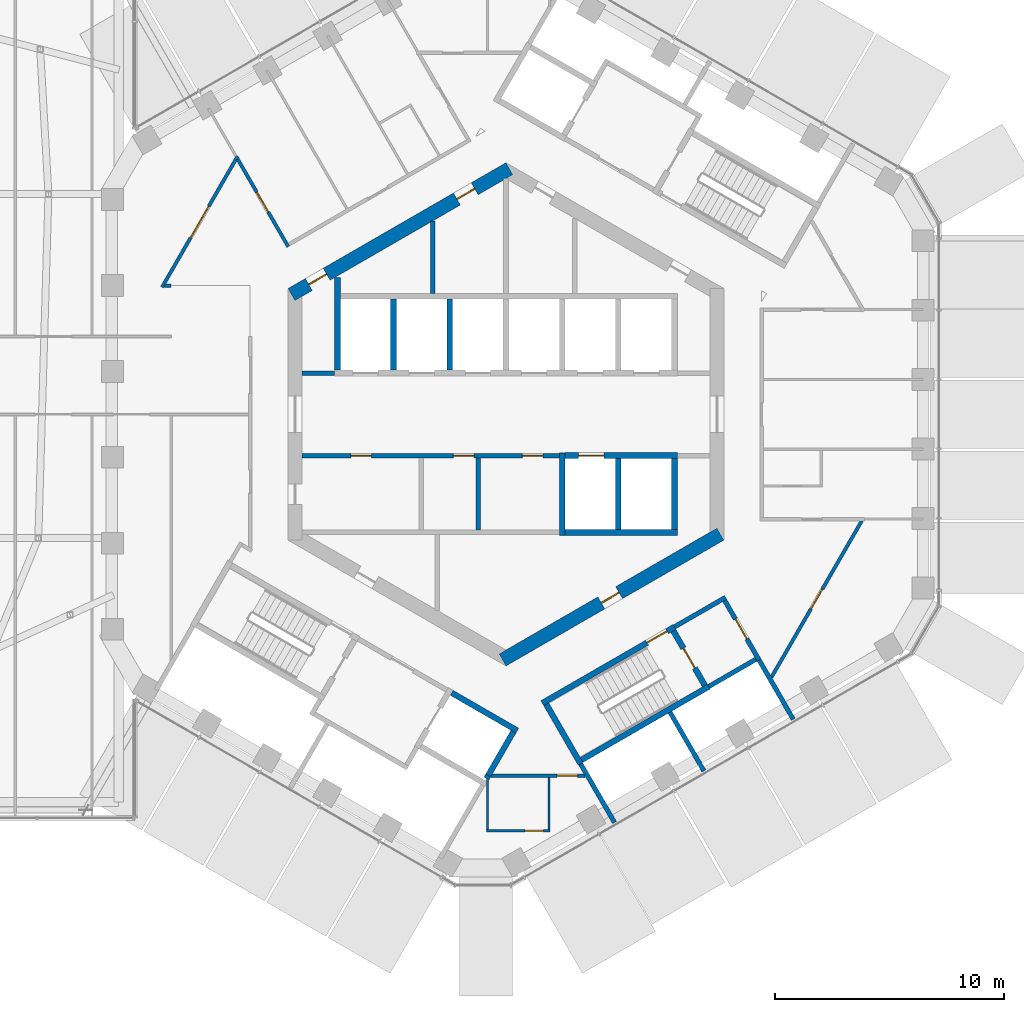
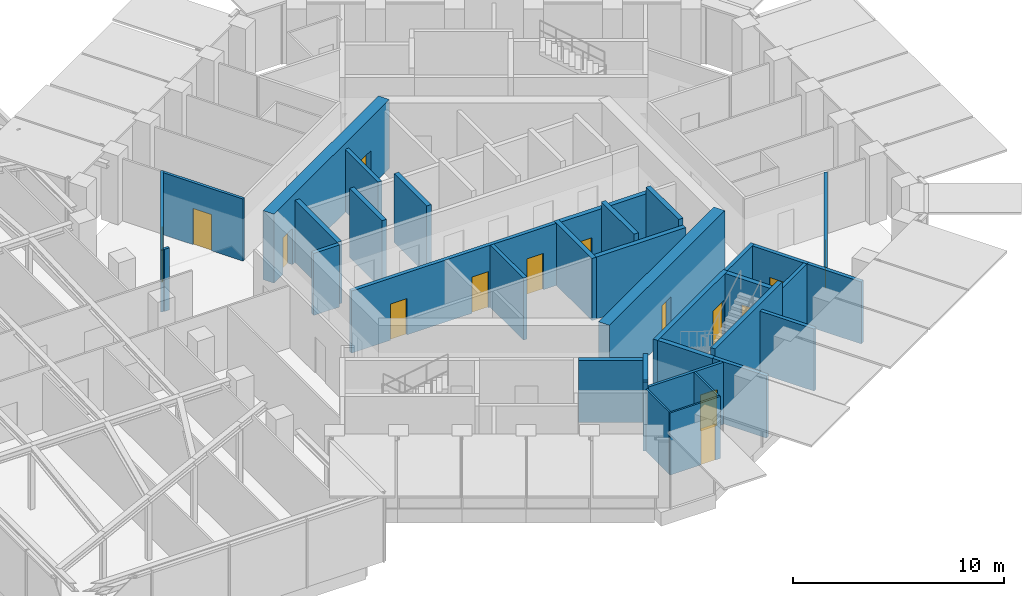
# One storey, part 17 of 24: 35 walls, 15 doors, 15 openings.
"""IFC4 building model written with IfcOpenShell, lengths in metres."""

from ifc_helpers import new_model, si_unit, direction, frame, frame_2d, origin, place, context, subcontext, project, spatial, rectangle, extrude, material, layer, layer_set, type_object, element, fill, save


model = new_model("IFC4")

# Units and contexts
model_context = context("Model", 3, precision=1e-05, world=origin(), true_north=direction((0.0, 1.0)))
body_context = subcontext(model_context, "Body", "Model", "MODEL_VIEW")
ifc_project = project(units=[si_unit("LENGTHUNIT", "METRE"), si_unit("AREAUNIT", "SQUARE_METRE"), si_unit("VOLUMEUNIT", "CUBIC_METRE"), si_unit("PLANEANGLEUNIT", "RADIAN"), si_unit("MASSUNIT", "GRAM", prefix="KILO")], contexts=[model_context])

# Site, building, storey
site_placement = place(None, origin())
site = spatial("IfcSite", under=ifc_project, at=site_placement, CompositionType="ELEMENT")
building_placement = place(site_placement, origin())
building = spatial("IfcBuilding", under=site, at=building_placement, Name="Ayvan Gate Tower", CompositionType="ELEMENT")
storey_placement = place(building_placement, frame((0.0, 0.0, 210.10009765625)))
storey = spatial("IfcBuildingStorey", under=building, at=storey_placement, Name="L56", CompositionType="ELEMENT", Elevation=210.10009765625)

# Wall, openings, doors
ifc_material_1 = material(Name="Concrete C60/75", Category="concrete")
ifc_layer_1 = layer(ifc_material_1, 0.60009765625)
ifc_layer_set_1 = layer_set([ifc_layer_1], Name="Concrete C60/75")
wall_type_1 = type_object("IfcWallType", Name="Core wall 600 C60/75", PredefinedType="SHEAR", material=ifc_layer_set_1)
wall_1_placement = place(storey_placement, frame((0.14990234375, 10.7099609375, 0.0), z_axis=(0.0, 0.0, 1.0), x_axis=(-0.866023993627, -0.500002442456, 0.0)))
wall_1 = element("IfcWall", 1, at=wall_1_placement, inside=storey, type_object=wall_type_1, Name="CORE-L56-2", PredefinedType="SHEAR", context=body_context, shape_type="SweptSolid", body=[
    extrude(rectangle(XDim=10.9697265625, YDim=0.60009765625, at=frame_2d((5.48486328125, 0.0))), origin(), (0.0, 0.0, 1.0), 4.0),
])
opening_1_placement = place(wall_1_placement, frame((9.201416015625, 0.0, 0.0)))
opening_1 = element("IfcOpeningElement", 2, at=opening_1_placement, cuts=wall_1, Name="Opening L56-D47", PredefinedType="OPENING", context=body_context, shape_type="SweptSolid", body=[
    extrude(rectangle(XDim=0.89990234375, YDim=2.10009765625, at=frame_2d((0.449951171875, 1.050048828125))), frame((0.0, 0.31005859375, 0.0), z_axis=(0.0, -1.0, 0.0), x_axis=(1.0, 0.0, 0.0)), (0.0, 0.0, 1.0), 0.6201171875),
])
opening_2_placement = place(wall_1_placement, frame((1.744384765625, 0.0, 0.0)))
opening_2 = element("IfcOpeningElement", 3, at=opening_2_placement, cuts=wall_1, Name="Opening L56-D48", PredefinedType="OPENING", context=body_context, shape_type="SweptSolid", body=[
    extrude(rectangle(XDim=0.89990234375, YDim=2.10009765625, at=frame_2d((0.449951171875, 1.050048828125))), frame((0.0, 0.31005859375, 0.0), z_axis=(0.0, -1.0, 0.0), x_axis=(1.0, 0.0, 0.0)), (0.0, 0.0, 1.0), 0.6201171875),
])
ifc_material_2 = material(Name="Timber door leaf", Category="wood")
door_type_1 = type_object("IfcDoorType", Name="DT-900", OperationType="NOTDEFINED", PredefinedType="DOOR", material=ifc_material_2)
door_1_placement = place(opening_1_placement, origin())
door_1 = element("IfcDoor", 4, at=door_1_placement, inside=storey, type_object=door_type_1, Name="CD-L56-47", OperationType="SINGLE_SWING_LEFT", OverallHeight=2.10009765625, OverallWidth=0.89990234375, PredefinedType="DOOR", context=body_context, shape_type="SweptSolid", body=[
    extrude(rectangle(XDim=0.89990234375, YDim=2.10009765625, at=frame_2d((0.449951171875, 1.050048828125))), frame((0.0, 0.02490234375, 0.0), z_axis=(0.0, -1.0, 0.0), x_axis=(1.0, 0.0, 0.0)), (0.0, 0.0, 1.0), 0.050048828125),
])
fill(opening_1, door_1)
door_2_placement = place(opening_2_placement, origin())
door_2 = element("IfcDoor", 5, at=door_2_placement, inside=storey, type_object=door_type_1, Name="CD-L56-48", OperationType="SINGLE_SWING_RIGHT", OverallHeight=2.10009765625, OverallWidth=0.89990234375, PredefinedType="DOOR", context=body_context, shape_type="SweptSolid", body=[
    extrude(rectangle(XDim=0.89990234375, YDim=2.10009765625, at=frame_2d((0.449951171875, 1.050048828125))), frame((0.0, 0.02490234375, 0.0), z_axis=(0.0, -1.0, 0.0), x_axis=(1.0, 0.0, 0.0)), (0.0, 0.0, 1.0), 0.050048828125),
])
fill(opening_2, door_2)

# Wall, opening, door
wall_2_placement = place(storey_placement, frame((-0.14990234375, -10.7099609375, 0.0), z_axis=(0.0, 0.0, 1.0), x_axis=(0.866023993627, 0.500002442456, 0.0)))
wall_2 = element("IfcWall", 6, at=wall_2_placement, inside=storey, type_object=wall_type_1, Name="CORE-L56-5", PredefinedType="SHEAR", context=body_context, shape_type="SweptSolid", body=[
    extrude(rectangle(XDim=10.9697265625, YDim=0.60009765625, at=frame_2d((5.48486328125, 0.0))), origin(), (0.0, 0.0, 1.0), 4.0),
])
opening_3_placement = place(wall_2_placement, frame((4.971923828125, 0.0, 0.0)))
opening_3 = element("IfcOpeningElement", 7, at=opening_3_placement, cuts=wall_2, Name="Opening L56-D52", PredefinedType="OPENING", context=body_context, shape_type="SweptSolid", body=[
    extrude(rectangle(XDim=0.89990234375, YDim=2.10009765625, at=frame_2d((0.449951171875, 1.050048828125))), frame((0.0, 0.31005859375, 0.0), z_axis=(0.0, -1.0, 0.0), x_axis=(1.0, 0.0, 0.0)), (0.0, 0.0, 1.0), 0.6201171875),
])
door_3_placement = place(opening_3_placement, origin())
door_3 = element("IfcDoor", 8, at=door_3_placement, inside=storey, type_object=door_type_1, Name="CD-L56-52", OperationType="SINGLE_SWING_RIGHT", OverallHeight=2.10009765625, OverallWidth=0.89990234375, PredefinedType="DOOR", context=body_context, shape_type="SweptSolid", body=[
    extrude(rectangle(XDim=0.89990234375, YDim=2.10009765625, at=frame_2d((0.449951171875, 1.050048828125))), frame((0.0, 0.02490234375, 0.0), z_axis=(0.0, -1.0, 0.0), x_axis=(1.0, 0.0, 0.0)), (0.0, 0.0, 1.0), 0.050048828125),
])
fill(opening_3, door_3)

ifc_material_3 = material(Name="Plasterboard on steel stud", Category="steel")
ifc_layer_2 = layer(ifc_material_3, 0.14990234375)
ifc_layer_set_2 = layer_set([ifc_layer_2], Name="Plasterboard on steel stud")
wall_type_2 = type_object("IfcWallType", Name="WT-CORR-150", PredefinedType="PARTITIONING", material=ifc_layer_set_2)
wall_3_placement = place(storey_placement, frame((-14.994873046875, 5.54296875, 0.0), z_axis=(0.0, 0.0, 1.0), x_axis=(0.500000102728, 0.866025344474, 0.0)))
wall_3 = element("IfcWall", 9, at=wall_3_placement, inside=storey, type_object=wall_type_2, Name="IW-L56-010", PredefinedType="PARTITIONING", context=body_context, shape_type="SweptSolid", body=[
    extrude(rectangle(XDim=6.5966796875, YDim=0.14990234375, at=frame_2d((3.29833984375, 0.0))), origin(), (0.0, 0.0, 1.0), 3.599853515625),
])
opening_4_placement = place(wall_3_placement, frame((2.48095703125, 0.0, 0.0)))
opening_4 = element("IfcOpeningElement", 10, at=opening_4_placement, cuts=wall_3, Name="Opening L56-D40", PredefinedType="OPENING", context=body_context, shape_type="SweptSolid", body=[
    extrude(rectangle(XDim=1.60009765625, YDim=2.10009765625, at=frame_2d((0.800048828125, 1.050048828125))), frame((0.0, 0.0849609375, 0.0), z_axis=(0.0, -1.0, 0.0), x_axis=(1.0, 0.0, 0.0)), (0.0, 0.0, 1.0), 0.169921875),
])
door_type_2 = type_object("IfcDoorType", Name="DT-1600", OperationType="NOTDEFINED", PredefinedType="DOOR", material=ifc_material_2)
door_4_placement = place(opening_4_placement, origin())
door_4 = element("IfcDoor", 11, at=door_4_placement, inside=storey, type_object=door_type_2, Name="ID-L56-040", OperationType="SINGLE_SWING_RIGHT", OverallHeight=2.10009765625, OverallWidth=1.60009765625, PredefinedType="DOOR", context=body_context, shape_type="SweptSolid", body=[
    extrude(rectangle(XDim=1.60009765625, YDim=2.10009765625, at=frame_2d((0.800048828125, 1.050048828125))), frame((0.0, 0.02490234375, 0.0), z_axis=(0.0, -1.0, 0.0), x_axis=(1.0, 0.0, 0.0)), (0.0, 0.0, 1.0), 0.050048828125),
])
fill(opening_4, door_4)

# Wall
wall_4_placement = place(storey_placement, frame((-14.600341796875, 5.60791015625, 0.0), z_axis=(0.0, 0.0, 1.0), x_axis=(-1.0, 0.0, 0.0)))
element("IfcWall", 12, at=wall_4_placement, inside=storey, type_object=wall_type_2, Name="IW-L56-012", PredefinedType="PARTITIONING", context=body_context, shape_type="SweptSolid", body=[
    extrude(rectangle(XDim=0.281982421875, YDim=0.14990234375, at=frame_2d((0.14111328125, 0.0))), origin(), (0.0, 0.0, 1.0), 3.599853515625),
])

# Wall, opening, door
wall_5_placement = place(storey_placement, frame((-11.696533203125, 11.1259765625, 0.0), z_axis=(0.0, 0.0, 1.0), x_axis=(0.499992488471, -0.866029740524, 0.0)))
wall_5 = element("IfcWall", 13, at=wall_5_placement, inside=storey, type_object=wall_type_2, Name="IW-L56-016", PredefinedType="PARTITIONING", context=body_context, shape_type="SweptSolid", body=[
    extrude(rectangle(XDim=4.40869140625, YDim=0.14990234375, at=frame_2d((2.204345703125, 0.0))), origin(), (0.0, 0.0, 1.0), 3.599853515625),
])
opening_5_placement = place(wall_5_placement, frame((1.666748046875, 0.0, 0.0)))
opening_5 = element("IfcOpeningElement", 14, at=opening_5_placement, cuts=wall_5, Name="Opening L56-D35", PredefinedType="OPENING", context=body_context, shape_type="SweptSolid", body=[
    extrude(rectangle(XDim=1.0, YDim=2.10009765625, at=frame_2d((0.5, 1.050048828125))), frame((0.0, 0.0849609375, 0.0), z_axis=(0.0, -1.0, 0.0), x_axis=(1.0, 0.0, 0.0)), (0.0, 0.0, 1.0), 0.169921875),
])
door_type_3 = type_object("IfcDoorType", Name="DT-1000", OperationType="NOTDEFINED", PredefinedType="DOOR", material=ifc_material_2)
door_5_placement = place(opening_5_placement, origin())
door_5 = element("IfcDoor", 15, at=door_5_placement, inside=storey, type_object=door_type_3, Name="ID-L56-035", OperationType="SINGLE_SWING_LEFT", OverallHeight=2.10009765625, OverallWidth=1.0, PredefinedType="DOOR", context=body_context, shape_type="SweptSolid", body=[
    extrude(rectangle(XDim=1.0, YDim=2.10009765625, at=frame_2d((0.5, 1.050048828125))), frame((0.0, 0.02490234375, 0.0), z_axis=(0.0, -1.0, 0.0), x_axis=(1.0, 0.0, 0.0)), (0.0, 0.0, 1.0), 0.050048828125),
])
fill(opening_5, door_5)

wall_6_placement = place(storey_placement, frame((-0.65869140625, -15.75732421875, 0.0), z_axis=(0.0, 0.0, 1.0), x_axis=(1.0, 0.0, 0.0)))
wall_6 = element("IfcWall", 16, at=wall_6_placement, inside=storey, type_object=wall_type_2, Name="IW-L56-063", PredefinedType="PARTITIONING", context=body_context, shape_type="SweptSolid", body=[
    extrude(rectangle(XDim=4.11376953125, YDim=0.14990234375, at=frame_2d((2.056884765625, 0.0))), origin(), (0.0, 0.0, 1.0), 3.599853515625),
])
opening_6_placement = place(wall_6_placement, frame((2.887451171875, 0.0, 0.0)))
opening_6 = element("IfcOpeningElement", 17, at=opening_6_placement, cuts=wall_6, Name="Opening L56-D29", PredefinedType="OPENING", context=body_context, shape_type="SweptSolid", body=[
    extrude(rectangle(XDim=0.89990234375, YDim=2.10009765625, at=frame_2d((0.449951171875, 1.050048828125))), frame((0.0, 0.0849609375, 0.0), z_axis=(0.0, -1.0, 0.0), x_axis=(1.0, 0.0, 0.0)), (0.0, 0.0, 1.0), 0.169921875),
])
door_6_placement = place(opening_6_placement, origin())
door_6 = element("IfcDoor", 18, at=door_6_placement, inside=storey, type_object=door_type_1, Name="ID-L56-029", OperationType="SINGLE_SWING_LEFT", OverallHeight=2.10009765625, OverallWidth=0.89990234375, PredefinedType="DOOR", context=body_context, shape_type="SweptSolid", body=[
    extrude(rectangle(XDim=0.89990234375, YDim=2.10009765625, at=frame_2d((0.449951171875, 1.050048828125))), frame((0.0, 0.02490234375, 0.0), z_axis=(0.0, -1.0, 0.0), x_axis=(1.0, 0.0, 0.0)), (0.0, 0.0, 1.0), 0.050048828125),
])
fill(opening_6, door_6)

wall_7_placement = place(storey_placement, frame((15.52099609375, -4.631591796875, 0.0), z_axis=(0.0, 0.0, 1.0), x_axis=(-0.499992740516, -0.866029595009, 0.0)))
wall_7 = element("IfcWall", 19, at=wall_7_placement, inside=storey, type_object=wall_type_2, Name="IW-L56-107", PredefinedType="PARTITIONING", context=body_context, shape_type="SweptSolid", body=[
    extrude(rectangle(XDim=7.89697265625, YDim=0.14990234375, at=frame_2d((3.948486328125, 0.0))), origin(), (0.0, 0.0, 1.0), 3.599853515625),
])
opening_7_placement = place(wall_7_placement, frame((3.44873046875, 0.0, 0.0)))
opening_7 = element("IfcOpeningElement", 20, at=opening_7_placement, cuts=wall_7, Name="Opening L56-D31", PredefinedType="OPENING", context=body_context, shape_type="SweptSolid", body=[
    extrude(rectangle(XDim=1.0, YDim=2.10009765625, at=frame_2d((0.5, 1.050048828125))), frame((0.0, 0.0849609375, 0.0), z_axis=(0.0, -1.0, 0.0), x_axis=(1.0, 0.0, 0.0)), (0.0, 0.0, 1.0), 0.169921875),
])
door_7_placement = place(opening_7_placement, origin())
door_7 = element("IfcDoor", 21, at=door_7_placement, inside=storey, type_object=door_type_3, Name="ID-L56-031", OperationType="SINGLE_SWING_LEFT", OverallHeight=2.10009765625, OverallWidth=1.0, PredefinedType="DOOR", context=body_context, shape_type="SweptSolid", body=[
    extrude(rectangle(XDim=1.0, YDim=2.10009765625, at=frame_2d((0.5, 1.050048828125))), frame((0.0, 0.02490234375, 0.0), z_axis=(0.0, -1.0, 0.0), x_axis=(1.0, 0.0, 0.0)), (0.0, 0.0, 1.0), 0.050048828125),
])
fill(opening_7, door_7)

ifc_layer_3 = layer(ifc_material_3, 0.10009765625)
ifc_layer_set_3 = layer_set([ifc_layer_3], Name="Plasterboard on steel stud")
wall_type_3 = type_object("IfcWallType", Name="WT-PART-100", PredefinedType="PARTITIONING", material=ifc_layer_set_3)
wall_8_placement = place(storey_placement, frame((-0.85107421875, -18.157470703125, 0.0), z_axis=(0.0, 0.0, 1.0), x_axis=(1.0, 0.0, 0.0)))
wall_8 = element("IfcWall", 22, at=wall_8_placement, inside=storey, type_object=wall_type_3, Name="IW-L56-051", PredefinedType="PARTITIONING", context=body_context, shape_type="SweptSolid", body=[
    extrude(rectangle(XDim=2.7734375, YDim=0.10009765625, at=frame_2d((1.38671875, 0.0))), origin(), (0.0, 0.0, 1.0), 3.599853515625),
])
opening_8_placement = place(wall_8_placement, frame((1.686767578125, 0.0, 0.0)))
opening_8 = element("IfcOpeningElement", 23, at=opening_8_placement, cuts=wall_8, Name="Opening L56-D30", PredefinedType="OPENING", context=body_context, shape_type="SweptSolid", body=[
    extrude(rectangle(XDim=0.800048828125, YDim=2.10009765625, at=frame_2d((0.39990234375, 1.050048828125))), frame((0.0, 0.06005859375, 0.0), z_axis=(0.0, -1.0, 0.0), x_axis=(1.0, 0.0, 0.0)), (0.0, 0.0, 1.0), 0.1201171875),
])
door_type_4 = type_object("IfcDoorType", Name="DT-800", OperationType="NOTDEFINED", PredefinedType="DOOR", material=ifc_material_2)
door_8_placement = place(opening_8_placement, origin())
door_8 = element("IfcDoor", 24, at=door_8_placement, inside=storey, type_object=door_type_4, Name="ID-L56-030", OperationType="SINGLE_SWING_RIGHT", OverallHeight=2.10009765625, OverallWidth=0.800048828125, PredefinedType="DOOR", context=body_context, shape_type="SweptSolid", body=[
    extrude(rectangle(XDim=0.800048828125, YDim=2.10009765625, at=frame_2d((0.39990234375, 1.050048828125))), frame((0.0, 0.02490234375, 0.0), z_axis=(0.0, -1.0, 0.0), x_axis=(1.0, 0.0, 0.0)), (0.0, 0.0, 1.0), 0.050048828125),
])
fill(opening_8, door_8)

# Walls
wall_9_placement = place(storey_placement, frame((-0.801025390625, -15.912353515625, 0.0), z_axis=(0.0, 0.0, 1.0), x_axis=(0.0, -1.0, 0.0)))
element("IfcWall", 25, at=wall_9_placement, inside=storey, type_object=wall_type_3, Name="IW-L56-052", PredefinedType="PARTITIONING", context=body_context, shape_type="SweptSolid", body=[
    extrude(rectangle(XDim=2.195068359375, YDim=0.10009765625, at=frame_2d((1.09765625, 0.0))), origin(), (0.0, 0.0, 1.0), 3.599853515625),
])
wall_10_placement = place(storey_placement, frame((1.872314453125, -18.107421875, 0.0), z_axis=(0.0, 0.0, 1.0), x_axis=(0.0, 1.0, 0.0)))
element("IfcWall", 26, at=wall_10_placement, inside=storey, type_object=wall_type_3, Name="IW-L56-062", PredefinedType="PARTITIONING", context=body_context, shape_type="SweptSolid", body=[
    extrude(rectangle(XDim=2.27490234375, YDim=0.10009765625, at=frame_2d((1.137451171875, 0.0))), origin(), (0.0, 0.0, 1.0), 3.599853515625),
])
ifc_layer_4 = layer(ifc_material_3, 0.199951171875)
ifc_layer_set_4 = layer_set([ifc_layer_4], Name="Plasterboard on steel stud")
wall_type_4 = type_object("IfcWallType", Name="WT-PLUMB-200", PredefinedType="PLUMBINGWALL", material=ifc_layer_set_4)
for number, where, z_axis, x_axis, name in (
    (27, (3.255615234375, -15.23876953125, 0.0), (0.0, 0.0, 1.0), (0.499967936676, -0.866043914762, 0.0), "IW-L56-072"),
    (28, (7.152587890625, -12.98876953125, 0.0), (0.0, 0.0, 1.0), (0.500029884265, -0.866008149408, 0.0), "IW-L56-081"),
):
    element("IfcWall", number, at=place(storey_placement, frame(where, z_axis=z_axis, x_axis=x_axis)), inside=storey, type_object=wall_type_4, Name=name, PredefinedType="PLUMBINGWALL", context=body_context, shape_type="SweptSolid", body=[
        extrude(rectangle(XDim=2.955810546875, YDim=0.199951171875, at=frame_2d((1.47802734375, 0.0))), origin(), (0.0, 0.0, 1.0), 3.599853515625),
    ])
wall_11_placement = place(storey_placement, frame((11.037353515625, -10.71728515625, 0.0), z_axis=(0.0, 0.0, 1.0), x_axis=(0.499980071345, -0.866036909293, 0.0)))
element("IfcWall", 29, at=wall_11_placement, inside=storey, type_object=wall_type_4, Name="IW-L56-093", PredefinedType="PLUMBINGWALL", context=body_context, shape_type="SweptSolid", body=[
    extrude(rectangle(XDim=2.98046875, YDim=0.199951171875, at=frame_2d((1.490234375, 0.0))), origin(), (0.0, 0.0, 1.0), 3.599853515625),
])
wall_12_placement = place(storey_placement, frame((10.900634765625, -10.6806640625, 0.0), z_axis=(0.0, 0.0, 1.0), x_axis=(-0.866007538022, -0.500030943131, 0.0)))
element("IfcWall", 30, at=wall_12_placement, inside=storey, type_object=wall_type_4, Name="IW-L56-094", PredefinedType="PLUMBINGWALL", context=body_context, shape_type="SweptSolid", body=[
    extrude(rectangle(XDim=2.374755859375, YDim=0.199951171875, at=frame_2d((1.1875, 0.0))), origin(), (0.0, 0.0, 1.0), 3.599853515625),
])
ifc_layer_5 = layer(ifc_material_3, 0.199951171875)
ifc_layer_set_5 = layer_set([ifc_layer_5], Name="Plasterboard on steel stud")
wall_type_5 = type_object("IfcWallType", Name="WT-RATED-200", PredefinedType="PARTITIONING", material=ifc_layer_set_5)
wall_13_placement = place(storey_placement, frame((-8.89990234375, 1.800048828125, 0.0), z_axis=(0.0, 0.0, 1.0), x_axis=(1.0, 0.0, 0.0)))
element("IfcWall", 31, at=wall_13_placement, inside=storey, type_object=wall_type_5, Name="IW-L56-021", PredefinedType="PARTITIONING", context=body_context, shape_type="SweptSolid", body=[
    extrude(rectangle(XDim=1.425048828125, YDim=0.199951171875, at=frame_2d((0.71240234375, 0.0))), origin(), (0.0, 0.0, 1.0), 3.599853515625),
])

# Wall, openings, doors
wall_14_placement = place(storey_placement, frame((-8.89990234375, -1.800048828125, 0.0), z_axis=(0.0, 0.0, 1.0), x_axis=(1.0, 0.0, 0.0)))
wall_14 = element("IfcWall", 32, at=wall_14_placement, inside=storey, type_object=wall_type_5, Name="IW-L56-040", PredefinedType="PARTITIONING", context=body_context, shape_type="SweptSolid", body=[
    extrude(rectangle(XDim=11.22509765625, YDim=0.199951171875, at=frame_2d((5.612548828125, 0.0))), origin(), (0.0, 0.0, 1.0), 3.599853515625),
])
opening_9_placement = place(wall_14_placement, frame((2.135009765625, 0.0, 0.0)))
opening_9 = element("IfcOpeningElement", 33, at=opening_9_placement, cuts=wall_14, Name="Opening L56-D08", PredefinedType="OPENING", context=body_context, shape_type="SweptSolid", body=[
    extrude(rectangle(XDim=0.89990234375, YDim=2.10009765625, at=frame_2d((0.449951171875, 1.050048828125))), frame((0.0, 0.10986328125, 0.0), z_axis=(0.0, -1.0, 0.0), x_axis=(1.0, 0.0, 0.0)), (0.0, 0.0, 1.0), 0.219970703125),
])
opening_10_placement = place(wall_14_placement, frame((6.610107421875, 0.0, 0.0)))
opening_10 = element("IfcOpeningElement", 34, at=opening_10_placement, cuts=wall_14, Name="Opening L56-D09", PredefinedType="OPENING", context=body_context, shape_type="SweptSolid", body=[
    extrude(rectangle(XDim=0.89990234375, YDim=2.10009765625, at=frame_2d((0.449951171875, 1.050048828125))), frame((0.0, 0.10986328125, 0.0), z_axis=(0.0, -1.0, 0.0), x_axis=(1.0, 0.0, 0.0)), (0.0, 0.0, 1.0), 0.219970703125),
])
opening_11_placement = place(wall_14_placement, frame((9.612548828125, 0.0, 0.0)))
opening_11 = element("IfcOpeningElement", 35, at=opening_11_placement, cuts=wall_14, Name="Opening L56-D10", PredefinedType="OPENING", context=body_context, shape_type="SweptSolid", body=[
    extrude(rectangle(XDim=0.89990234375, YDim=2.10009765625, at=frame_2d((0.449951171875, 1.050048828125))), frame((0.0, 0.10986328125, 0.0), z_axis=(0.0, -1.0, 0.0), x_axis=(1.0, 0.0, 0.0)), (0.0, 0.0, 1.0), 0.219970703125),
])
door_9_placement = place(opening_9_placement, origin())
door_9 = element("IfcDoor", 36, at=door_9_placement, inside=storey, type_object=door_type_1, Name="ID-L56-008", OperationType="SINGLE_SWING_RIGHT", OverallHeight=2.10009765625, OverallWidth=0.89990234375, PredefinedType="DOOR", context=body_context, shape_type="SweptSolid", body=[
    extrude(rectangle(XDim=0.89990234375, YDim=2.10009765625, at=frame_2d((0.449951171875, 1.050048828125))), frame((0.0, 0.02490234375, 0.0), z_axis=(0.0, -1.0, 0.0), x_axis=(1.0, 0.0, 0.0)), (0.0, 0.0, 1.0), 0.050048828125),
])
fill(opening_9, door_9)
door_10_placement = place(opening_10_placement, origin())
door_10 = element("IfcDoor", 37, at=door_10_placement, inside=storey, type_object=door_type_1, Name="ID-L56-009", OperationType="SINGLE_SWING_LEFT", OverallHeight=2.10009765625, OverallWidth=0.89990234375, PredefinedType="DOOR", context=body_context, shape_type="SweptSolid", body=[
    extrude(rectangle(XDim=0.89990234375, YDim=2.10009765625, at=frame_2d((0.449951171875, 1.050048828125))), frame((0.0, 0.02490234375, 0.0), z_axis=(0.0, -1.0, 0.0), x_axis=(1.0, 0.0, 0.0)), (0.0, 0.0, 1.0), 0.050048828125),
])
fill(opening_10, door_10)
door_11_placement = place(opening_11_placement, origin())
door_11 = element("IfcDoor", 38, at=door_11_placement, inside=storey, type_object=door_type_1, Name="ID-L56-010", OperationType="SINGLE_SWING_RIGHT", OverallHeight=2.10009765625, OverallWidth=0.89990234375, PredefinedType="DOOR", context=body_context, shape_type="SweptSolid", body=[
    extrude(rectangle(XDim=0.89990234375, YDim=2.10009765625, at=frame_2d((0.449951171875, 1.050048828125))), frame((0.0, 0.02490234375, 0.0), z_axis=(0.0, -1.0, 0.0), x_axis=(1.0, 0.0, 0.0)), (0.0, 0.0, 1.0), 0.050048828125),
])
fill(opening_11, door_11)

# Walls
wall_15_placement = place(storey_placement, frame((-3.199951171875, 8.42919921875, 0.0), z_axis=(0.0, 0.0, 1.0), x_axis=(0.0, -1.0, 0.0)))
element("IfcWall", 39, at=wall_15_placement, inside=storey, type_object=wall_type_5, Name="IW-L56-041", PredefinedType="PARTITIONING", context=body_context, shape_type="SweptSolid", body=[
    extrude(rectangle(XDim=3.154296875, YDim=0.199951171875, at=frame_2d((1.5771484375, 0.0))), origin(), (0.0, 0.0, 1.0), 3.599853515625),
])
wall_16_placement = place(storey_placement, frame((-1.199951171875, -1.89990234375, 0.0), z_axis=(0.0, 0.0, 1.0), x_axis=(0.0, -1.0, 0.0)))
element("IfcWall", 40, at=wall_16_placement, inside=storey, type_object=wall_type_5, Name="IW-L56-048", PredefinedType="PARTITIONING", context=body_context, shape_type="SweptSolid", body=[
    extrude(rectangle(XDim=3.150146484375, YDim=0.199951171875, at=frame_2d((1.5751953125, 0.0))), origin(), (0.0, 0.0, 1.0), 3.599853515625),
])
wall_17_placement = place(storey_placement, frame((7.343994140625, -9.27001953125, 0.0), z_axis=(0.0, 0.0, 1.0), x_axis=(0.866005588531, 0.500034319456, 0.0)))
element("IfcWall", 41, at=wall_17_placement, inside=storey, type_object=wall_type_5, Name="IW-L56-084", PredefinedType="PARTITIONING", context=body_context, shape_type="SweptSolid", body=[
    extrude(rectangle(XDim=2.574951171875, YDim=0.199951171875, at=frame_2d((1.28759765625, 0.0))), origin(), (0.0, 0.0, 1.0), 3.599853515625),
])

# Wall, opening, door
wall_18_placement = place(storey_placement, frame((9.537353515625, -8.119140625, 0.0), z_axis=(0.0, 0.0, 1.0), x_axis=(0.499990139034, -0.866031096941, 0.0)))
wall_18 = element("IfcWall", 42, at=wall_18_placement, inside=storey, type_object=wall_type_5, Name="IW-L56-092", PredefinedType="PARTITIONING", context=body_context, shape_type="SweptSolid", body=[
    extrude(rectangle(XDim=3.0, YDim=0.199951171875, at=frame_2d((1.5, 0.0))), origin(), (0.0, 0.0, 1.0), 3.599853515625),
])
opening_12_placement = place(wall_18_placement, frame((0.93505859375, 0.0, 0.0)))
opening_12 = element("IfcOpeningElement", 43, at=opening_12_placement, cuts=wall_18, Name="Opening L56-D20", PredefinedType="OPENING", context=body_context, shape_type="SweptSolid", body=[
    extrude(rectangle(XDim=1.0, YDim=2.10009765625, at=frame_2d((0.5, 1.050048828125))), frame((0.0, 0.10986328125, 0.0), z_axis=(0.0, -1.0, 0.0), x_axis=(1.0, 0.0, 0.0)), (0.0, 0.0, 1.0), 0.219970703125),
])
door_12_placement = place(opening_12_placement, origin())
door_12 = element("IfcDoor", 44, at=door_12_placement, inside=storey, type_object=door_type_3, Name="ID-L56-020", OperationType="SINGLE_SWING_RIGHT", OverallHeight=2.10009765625, OverallWidth=1.0, PredefinedType="DOOR", context=body_context, shape_type="SweptSolid", body=[
    extrude(rectangle(XDim=1.0, YDim=2.10009765625, at=frame_2d((0.5, 1.050048828125))), frame((0.0, 0.02490234375, 0.0), z_axis=(0.0, -1.0, 0.0), x_axis=(1.0, 0.0, 0.0)), (0.0, 0.0, 1.0), 0.050048828125),
])
fill(opening_12, door_12)

# Walls
ifc_material_4 = material(Name="Concrete C50/60", Category="concrete")
ifc_layer_6 = layer(ifc_material_4, 0.25)
ifc_layer_set_6 = layer_set([ifc_layer_6], Name="Concrete C50/60")
wall_type_6 = type_object("IfcWallType", Name="WT-RC-250", PredefinedType="SHEAR", material=ifc_layer_set_6)
wall_19_placement = place(storey_placement, frame((-7.35009765625, 1.925048828125, 0.0), z_axis=(0.0, 0.0, 1.0), x_axis=(0.0, 1.0, 0.0)))
element("IfcWall", 45, at=wall_19_placement, inside=storey, type_object=wall_type_6, Name="IW-L56-028", PredefinedType="SHEAR", context=body_context, shape_type="SweptSolid", body=[
    extrude(rectangle(XDim=4.0361328125, YDim=0.25, at=frame_2d((2.01806640625, 0.0))), origin(), (0.0, 0.0, 1.0), 3.599853515625),
])
wall_20_placement = place(storey_placement, frame((-4.89990234375, 5.02490234375, 0.0), z_axis=(0.0, 0.0, 1.0), x_axis=(0.0, -1.0, 0.0)))
element("IfcWall", 46, at=wall_20_placement, inside=storey, type_object=wall_type_6, Name="IW-L56-034", PredefinedType="SHEAR", context=body_context, shape_type="SweptSolid", body=[
    extrude(rectangle(XDim=3.099853515625, YDim=0.25, at=frame_2d((1.5498046875, 0.0))), origin(), (0.0, 0.0, 1.0), 4.0),
])
wall_21_placement = place(storey_placement, frame((-2.3642578125, -12.14501953125, 0.0), z_axis=(0.0, 0.0, 1.0), x_axis=(0.866040211805, -0.499974350878, 0.0)))
element("IfcWall", 47, at=wall_21_placement, inside=storey, type_object=wall_type_6, Name="IW-L56-045", PredefinedType="SHEAR", context=body_context, shape_type="SweptSolid", body=[
    extrude(rectangle(XDim=3.300048828125, YDim=0.25, at=frame_2d((1.64990234375, 0.0))), origin(), (0.0, 0.0, 1.0), 3.599853515625),
])
wall_22_placement = place(storey_placement, frame((-2.449951171875, 5.02490234375, 0.0), z_axis=(0.0, 0.0, 1.0), x_axis=(0.0, -1.0, 0.0)))
element("IfcWall", 48, at=wall_22_placement, inside=storey, type_object=wall_type_6, Name="IW-L56-046", PredefinedType="SHEAR", context=body_context, shape_type="SweptSolid", body=[
    extrude(rectangle(XDim=3.099853515625, YDim=0.25, at=frame_2d((1.5498046875, 0.0))), origin(), (0.0, 0.0, 1.0), 4.0),
])
wall_23_placement = place(storey_placement, frame((-0.77587890625, -15.743896484375, 0.0), z_axis=(0.0, 0.0, 1.0), x_axis=(-0.499583827826, -0.866265547609, 0.0)))
element("IfcWall", 49, at=wall_23_placement, inside=storey, type_object=wall_type_6, Name="IW-L56-054", PredefinedType="SHEAR", context=body_context, shape_type="SweptSolid", body=[
    extrude(rectangle(XDim=0.152587890625, YDim=0.25, at=frame_2d((0.076171875, 0.0))), origin(), (0.0, 0.0, 1.0), 4.0),
])
wall_24_placement = place(storey_placement, frame((0.322998046875, -13.8408203125, 0.0), z_axis=(0.0, 0.0, 1.0), x_axis=(-0.500051022034, -0.865995944195, 0.0)))
element("IfcWall", 50, at=wall_24_placement, inside=storey, type_object=wall_type_6, Name="IW-L56-058", PredefinedType="SHEAR", context=body_context, shape_type="SweptSolid", body=[
    extrude(rectangle(XDim=2.208251953125, YDim=0.25, at=frame_2d((1.10400390625, 0.0))), origin(), (0.0, 0.0, 1.0), 4.0),
])

# Wall, opening, door
wall_25_placement = place(storey_placement, frame((1.584716796875, -12.594970703125, 0.0), z_axis=(0.0, 0.0, 1.0), x_axis=(0.866036417653, 0.499980922934, 0.0)))
wall_25 = element("IfcWall", 51, at=wall_25_placement, inside=storey, type_object=wall_type_6, Name="IW-L56-061", PredefinedType="SHEAR", context=body_context, shape_type="SweptSolid", body=[
    extrude(rectangle(XDim=6.650146484375, YDim=0.25, at=frame_2d((3.3251953125, 0.0))), origin(), (0.0, 0.0, 1.0), 3.599853515625),
])
opening_13_placement = place(wall_25_placement, frame((5.27490234375, 0.0, 0.0)))
opening_13 = element("IfcOpeningElement", 52, at=opening_13_placement, cuts=wall_25, Name="Opening L56-D19", PredefinedType="OPENING", context=body_context, shape_type="SweptSolid", body=[
    extrude(rectangle(XDim=1.0, YDim=2.10009765625, at=frame_2d((0.5, 1.050048828125))), frame((0.0, 0.135009765625, 0.0), z_axis=(0.0, -1.0, 0.0), x_axis=(1.0, 0.0, 0.0)), (0.0, 0.0, 1.0), 0.27001953125),
])
door_13_placement = place(opening_13_placement, origin())
door_13 = element("IfcDoor", 53, at=door_13_placement, inside=storey, type_object=door_type_3, Name="ID-L56-019", OperationType="SINGLE_SWING_LEFT", OverallHeight=2.10009765625, OverallWidth=1.0, PredefinedType="DOOR", context=body_context, shape_type="SweptSolid", body=[
    extrude(rectangle(XDim=1.0, YDim=2.10009765625, at=frame_2d((0.5, 1.050048828125))), frame((0.0, 0.02490234375, 0.0), z_axis=(0.0, -1.0, 0.0), x_axis=(1.0, 0.0, 0.0)), (0.0, 0.0, 1.0), 0.050048828125),
])
fill(opening_13, door_13)

# Walls
wall_26_placement = place(storey_placement, frame((2.449951171875, -5.27490234375, 0.0), z_axis=(0.0, 0.0, 1.0), x_axis=(0.0, 1.0, 0.0)))
element("IfcWall", 54, at=wall_26_placement, inside=storey, type_object=wall_type_6, Name="IW-L56-066", PredefinedType="SHEAR", context=body_context, shape_type="SweptSolid", body=[
    extrude(rectangle(XDim=3.599853515625, YDim=0.25, at=frame_2d((1.7998046875, 0.0))), origin(), (0.0, 0.0, 1.0), 3.599853515625),
])
wall_27_placement = place(storey_placement, frame((3.255615234375, -15.23876953125, 0.0), z_axis=(0.0, 0.0, 1.0), x_axis=(-0.50002537861, 0.866010750942, 0.0)))
element("IfcWall", 55, at=wall_27_placement, inside=storey, type_object=wall_type_6, Name="IW-L56-071", PredefinedType="SHEAR", context=body_context, shape_type="SweptSolid", body=[
    extrude(rectangle(XDim=2.999755859375, YDim=0.25, at=frame_2d((1.5, 0.0))), origin(), (0.0, 0.0, 1.0), 3.599853515625),
])
wall_28_placement = place(storey_placement, frame((2.574951171875, -5.14990234375, 0.0), z_axis=(0.0, 0.0, 1.0), x_axis=(1.0, 0.0, 0.0)))
element("IfcWall", 56, at=wall_28_placement, inside=storey, type_object=wall_type_6, Name="IW-L56-075", PredefinedType="SHEAR", context=body_context, shape_type="SweptSolid", body=[
    extrude(rectangle(XDim=4.900146484375, YDim=0.25, at=frame_2d((2.4501953125, 0.0))), origin(), (0.0, 0.0, 1.0), 3.599853515625),
])
wall_29_placement = place(storey_placement, frame((4.89990234375, -1.925048828125, 0.0), z_axis=(0.0, 0.0, 1.0), x_axis=(0.0, -1.0, 0.0)))
element("IfcWall", 57, at=wall_29_placement, inside=storey, type_object=wall_type_6, Name="IW-L56-076", PredefinedType="SHEAR", context=body_context, shape_type="SweptSolid", body=[
    extrude(rectangle(XDim=3.099853515625, YDim=0.25, at=frame_2d((1.5498046875, 0.0))), origin(), (0.0, 0.0, 1.0), 4.0),
])

# Wall, opening, door
wall_30_placement = place(storey_placement, frame((2.574951171875, -1.800048828125, 0.0), z_axis=(0.0, 0.0, 1.0), x_axis=(1.0, 0.0, 0.0)))
wall_30 = element("IfcWall", 58, at=wall_30_placement, inside=storey, type_object=wall_type_6, Name="IW-L56-078", PredefinedType="SHEAR", context=body_context, shape_type="SweptSolid", body=[
    extrude(rectangle(XDim=4.900146484375, YDim=0.25, at=frame_2d((2.4501953125, 0.0))), origin(), (0.0, 0.0, 1.0), 3.599853515625),
])
opening_14_placement = place(wall_30_placement, frame((0.597412109375, 0.0, 0.0)))
opening_14 = element("IfcOpeningElement", 59, at=opening_14_placement, cuts=wall_30, Name="Opening L56-LD-SV", PredefinedType="OPENING", context=body_context, shape_type="SweptSolid", body=[
    extrude(rectangle(XDim=1.10009765625, YDim=2.10009765625, at=frame_2d((0.550048828125, 1.050048828125))), frame((0.0, 0.135009765625, 0.0), z_axis=(0.0, -1.0, 0.0), x_axis=(1.0, 0.0, 0.0)), (0.0, 0.0, 1.0), 0.27001953125),
])
ifc_material_5 = material(Name="Stainless steel landing door", Category="steel")
door_type_5 = type_object("IfcDoorType", Name="DT-LANDING-1100", OperationType="SLIDING_TO_LEFT", PredefinedType="DOOR", material=ifc_material_5)
door_14_placement = place(opening_14_placement, origin())
door_14 = element("IfcDoor", 60, at=door_14_placement, inside=storey, type_object=door_type_5, Name="ID-L56-007", OperationType="SLIDING_TO_LEFT", OverallHeight=2.10009765625, OverallWidth=1.10009765625, PredefinedType="DOOR", context=body_context, shape_type="SweptSolid", body=[
    extrude(rectangle(XDim=1.10009765625, YDim=2.10009765625, at=frame_2d((0.550048828125, 1.050048828125))), frame((0.0, 0.02490234375, 0.0), z_axis=(0.0, -1.0, 0.0), x_axis=(1.0, 0.0, 0.0)), (0.0, 0.0, 1.0), 0.050048828125),
])
fill(opening_14, door_14)

# Wall
wall_31_placement = place(storey_placement, frame((3.30126953125, -15.068115234375, 0.0), z_axis=(0.0, 0.0, 1.0), x_axis=(0.866035036182, 0.499983315828, 0.0)))
element("IfcWall", 61, at=wall_31_placement, inside=storey, type_object=wall_type_6, Name="IW-L56-082", PredefinedType="SHEAR", context=body_context, shape_type="SweptSolid", body=[
    extrude(rectangle(XDim=6.400146484375, YDim=0.25, at=frame_2d((3.2001953125, 0.0))), origin(), (0.0, 0.0, 1.0), 4.0),
])

# Wall, opening, door
wall_32_placement = place(storey_placement, frame((7.298095703125, -9.44091796875, 0.0), z_axis=(0.0, 0.0, 1.0), x_axis=(0.500034990121, -0.866005201286, 0.0)))
wall_32 = element("IfcWall", 62, at=wall_32_placement, inside=storey, type_object=wall_type_6, Name="IW-L56-083", PredefinedType="SHEAR", context=body_context, shape_type="SweptSolid", body=[
    extrude(rectangle(XDim=2.749755859375, YDim=0.25, at=frame_2d((1.375, 0.0))), origin(), (0.0, 0.0, 1.0), 3.599853515625),
])
opening_15_placement = place(wall_32_placement, frame((0.875, 0.0, 0.0)))
opening_15 = element("IfcOpeningElement", 63, at=opening_15_placement, cuts=wall_32, Name="Opening L56-D21", PredefinedType="OPENING", context=body_context, shape_type="SweptSolid", body=[
    extrude(rectangle(XDim=1.0, YDim=2.10009765625, at=frame_2d((0.5, 1.050048828125))), frame((0.0, 0.135009765625, 0.0), z_axis=(0.0, -1.0, 0.0), x_axis=(1.0, 0.0, 0.0)), (0.0, 0.0, 1.0), 0.27001953125),
])
door_15_placement = place(opening_15_placement, origin())
door_15 = element("IfcDoor", 64, at=door_15_placement, inside=storey, type_object=door_type_3, Name="ID-L56-021", OperationType="SINGLE_SWING_LEFT", OverallHeight=2.10009765625, OverallWidth=1.0, PredefinedType="DOOR", context=body_context, shape_type="SweptSolid", body=[
    extrude(rectangle(XDim=1.0, YDim=2.10009765625, at=frame_2d((0.5, 1.050048828125))), frame((0.0, 0.02490234375, 0.0), z_axis=(0.0, -1.0, 0.0), x_axis=(1.0, 0.0, 0.0)), (0.0, 0.0, 1.0), 0.050048828125),
])
fill(opening_15, door_15)

# Wall
wall_33_placement = place(storey_placement, frame((7.35009765625, -1.925048828125, 0.0), z_axis=(0.0, 0.0, 1.0), x_axis=(0.0, -1.0, 0.0)))
element("IfcWall", 65, at=wall_33_placement, inside=storey, type_object=wall_type_6, Name="IW-L56-086", PredefinedType="SHEAR", context=body_context, shape_type="SweptSolid", body=[
    extrude(rectangle(XDim=3.099853515625, YDim=0.25, at=frame_2d((1.5498046875, 0.0))), origin(), (0.0, 0.0, 1.0), 4.0),
])

save(model, "model.ifc")
